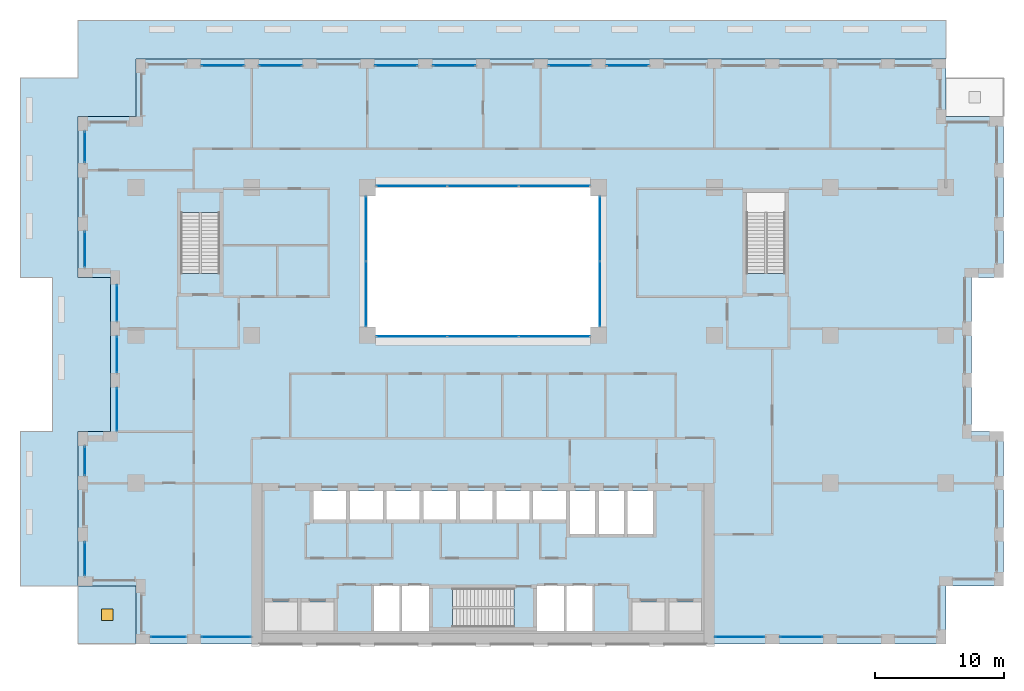
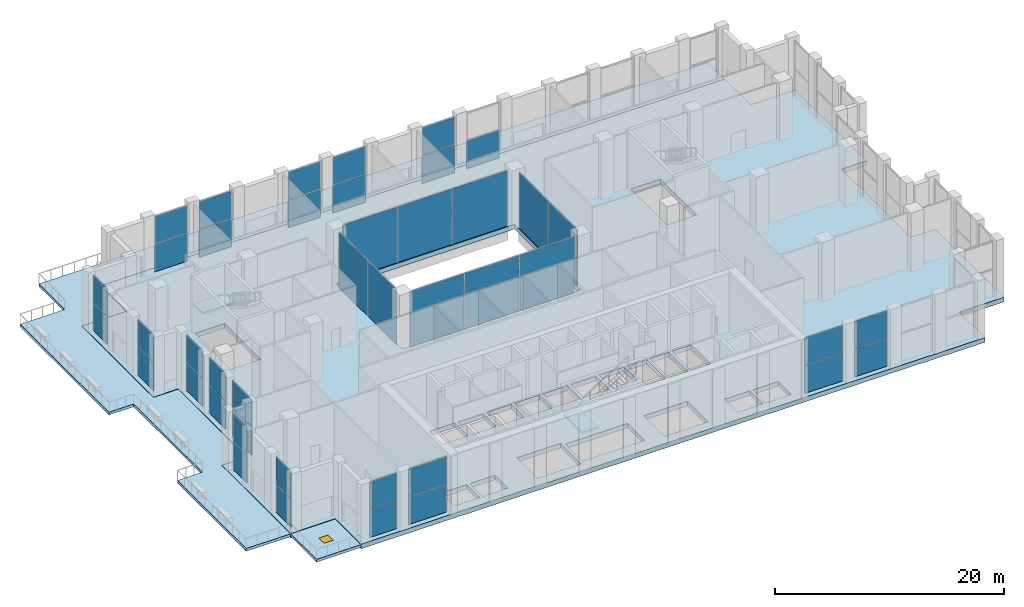
# One storey, part 11 of 21: 43 plates, 5 slabs, 1 window, 1 opening, 23 elements without a shape of their own.
"""IFC4 building model written with IfcOpenShell, lengths in metres."""

from ifc_helpers import new_model, si_unit, direction, frame, origin, origin_2d, place, context, subcontext, project, spatial, polyline, rectangle, outline, extrude, material, layer, layer_set, type_object, element, fill, aggregate, save


model = new_model("IFC4")

# Units and contexts
model_context = context("Model", 3, precision=1e-05, world=origin(), true_north=direction((0.0, 1.0)))
body_context = subcontext(model_context, "Body", "Model", "MODEL_VIEW")
ifc_project = project(units=[si_unit("LENGTHUNIT", "METRE"), si_unit("AREAUNIT", "SQUARE_METRE"), si_unit("VOLUMEUNIT", "CUBIC_METRE"), si_unit("PLANEANGLEUNIT", "RADIAN"), si_unit("MASSUNIT", "GRAM", prefix="KILO")], contexts=[model_context])

# Site, building, storey
site_placement = place(None, origin())
site = spatial("IfcSite", under=ifc_project, at=site_placement, CompositionType="ELEMENT")
building_placement = place(site_placement, origin())
building = spatial("IfcBuilding", under=site, at=building_placement, Name="Brigalow Station Residences", CompositionType="ELEMENT")
storey_placement = place(building_placement, frame((0.0, 0.0, 77.25)))
storey = spatial("IfcBuildingStorey", under=building, at=storey_placement, Name="L22", CompositionType="ELEMENT", Elevation=77.25)

# Curtain wall, plates
ifc_material_1 = material(Name="Aluminium", Category="aluminium")
ifc_layer_1 = layer(ifc_material_1, 0.14990234375)
ifc_layer_set_1 = layer_set([ifc_layer_1], Name="ATRIUM FIRE-RATED GLAZING CURTAIN WALL")
curtain_wall_type_1 = type_object("IfcCurtainWallType", Name="ATRIUM FIRE-RATED GLAZING CURTAIN WALL", PredefinedType="NOTDEFINED", material=ifc_layer_set_1)
curtain_wall_1_placement = place(storey_placement, origin())
curtain_wall_1 = element("IfcCurtainWall", 1, at=curtain_wall_1_placement, inside=storey, type_object=curtain_wall_type_1, Name="L22/cw/atrium-S", PredefinedType="NOTDEFINED")
ifc_material_2 = material(Name="Fire-resisting laminated glazing, FRL -/60/-", Category="glass")
ifc_layer_2 = layer(ifc_material_2, 0.031982421875)
ifc_layer_set_2 = layer_set([ifc_layer_2], Name="ATRIUM FIRE-RATED GLAZING PANEL 32")
plate_type_1 = type_object("IfcPlateType", Name="ATRIUM FIRE-RATED GLAZING PANEL 32", PredefinedType="CURTAIN_PANEL", material=ifc_layer_set_2)
plate_1_placement = place(storey_placement, frame((30.4482421875, 23.89990234375, 0.0), z_axis=(0.0, 0.0, 1.0), x_axis=(1.0, 0.0, 0.0)))
plate_1 = element("IfcPlate", 2, at=plate_1_placement, type_object=plate_type_1, Name="L22/cw/atrium-S/P00-00", PredefinedType="CURTAIN_PANEL", context=body_context, shape_type="SweptSolid", body=[
    extrude(rectangle(XDim=5.476806640625, YDim=0.031982421875, at=origin_2d()), origin(), (0.0, 0.0, 1.0), 5.919921875),
])
plate_2_placement = place(storey_placement, frame((36.0, 23.89990234375, 0.0), z_axis=(0.0, 0.0, 1.0), x_axis=(1.0, 0.0, 0.0)))
plate_2 = element("IfcPlate", 3, at=plate_2_placement, type_object=plate_type_1, Name="L22/cw/atrium-S/P01-00", PredefinedType="CURTAIN_PANEL", context=body_context, shape_type="SweptSolid", body=[
    extrude(rectangle(XDim=5.506591796875, YDim=0.031982421875, at=origin_2d()), origin(), (0.0, 0.0, 1.0), 5.919921875),
])
plate_3_placement = place(storey_placement, frame((41.5517578125, 23.89990234375, 0.0), z_axis=(0.0, 0.0, 1.0), x_axis=(1.0, 0.0, 0.0)))
plate_3 = element("IfcPlate", 4, at=plate_3_placement, type_object=plate_type_1, Name="L22/cw/atrium-S/P02-00", PredefinedType="CURTAIN_PANEL", context=body_context, shape_type="SweptSolid", body=[
    extrude(rectangle(XDim=5.476806640625, YDim=0.031982421875, at=origin_2d()), origin(), (0.0, 0.0, 1.0), 5.919921875),
])
aggregate(curtain_wall_1, [plate_1, plate_2, plate_3])

curtain_wall_2_placement = place(storey_placement, origin())
curtain_wall_2 = element("IfcCurtainWall", 5, at=curtain_wall_2_placement, inside=storey, type_object=curtain_wall_type_1, Name="L22/cw/atrium-E", PredefinedType="NOTDEFINED")
plate_4_placement = place(storey_placement, frame((45.10009765625, 27.215087890625, 0.0), z_axis=(0.0, 0.0, 1.0), x_axis=(0.0, 1.0, 0.0)))
plate_4 = element("IfcPlate", 6, at=plate_4_placement, type_object=plate_type_1, Name="L22/cw/atrium-E/P00-00", PredefinedType="CURTAIN_PANEL", context=body_context, shape_type="SweptSolid", body=[
    extrude(rectangle(XDim=5.010009765625, YDim=0.031982421875, at=origin_2d()), origin(), (0.0, 0.0, 1.0), 5.919921875),
])
plate_5_placement = place(storey_placement, frame((45.10009765625, 32.284912109375, 0.0), z_axis=(0.0, 0.0, 1.0), x_axis=(0.0, 1.0, 0.0)))
plate_5 = element("IfcPlate", 7, at=plate_5_placement, type_object=plate_type_1, Name="L22/cw/atrium-E/P01-00", PredefinedType="CURTAIN_PANEL", context=body_context, shape_type="SweptSolid", body=[
    extrude(rectangle(XDim=5.010009765625, YDim=0.031982421875, at=origin_2d()), origin(), (0.0, 0.0, 1.0), 5.919921875),
])
aggregate(curtain_wall_2, [plate_4, plate_5])

curtain_wall_3_placement = place(storey_placement, origin())
curtain_wall_3 = element("IfcCurtainWall", 8, at=curtain_wall_3_placement, inside=storey, type_object=curtain_wall_type_1, Name="L22/cw/atrium-N", PredefinedType="NOTDEFINED")
plate_6_placement = place(storey_placement, frame((41.5517578125, 35.60009765625, 0.0), z_axis=(0.0, 0.0, 1.0), x_axis=(-1.0, 0.0, 0.0)))
plate_6 = element("IfcPlate", 9, at=plate_6_placement, type_object=plate_type_1, Name="L22/cw/atrium-N/P00-00", PredefinedType="CURTAIN_PANEL", context=body_context, shape_type="SweptSolid", body=[
    extrude(rectangle(XDim=5.476806640625, YDim=0.031982421875, at=origin_2d()), origin(), (0.0, 0.0, 1.0), 5.919921875),
])
plate_7_placement = place(storey_placement, frame((36.0, 35.60009765625, 0.0), z_axis=(0.0, 0.0, 1.0), x_axis=(-1.0, 0.0, 0.0)))
plate_7 = element("IfcPlate", 10, at=plate_7_placement, type_object=plate_type_1, Name="L22/cw/atrium-N/P01-00", PredefinedType="CURTAIN_PANEL", context=body_context, shape_type="SweptSolid", body=[
    extrude(rectangle(XDim=5.506591796875, YDim=0.031982421875, at=origin_2d()), origin(), (0.0, 0.0, 1.0), 5.919921875),
])
plate_8_placement = place(storey_placement, frame((30.4482421875, 35.60009765625, 0.0), z_axis=(0.0, 0.0, 1.0), x_axis=(-1.0, 0.0, 0.0)))
plate_8 = element("IfcPlate", 11, at=plate_8_placement, type_object=plate_type_1, Name="L22/cw/atrium-N/P02-00", PredefinedType="CURTAIN_PANEL", context=body_context, shape_type="SweptSolid", body=[
    extrude(rectangle(XDim=5.476806640625, YDim=0.031982421875, at=origin_2d()), origin(), (0.0, 0.0, 1.0), 5.919921875),
])
aggregate(curtain_wall_3, [plate_6, plate_7, plate_8])

curtain_wall_4_placement = place(storey_placement, origin())
curtain_wall_4 = element("IfcCurtainWall", 12, at=curtain_wall_4_placement, inside=storey, type_object=curtain_wall_type_1, Name="L22/cw/atrium-W", PredefinedType="NOTDEFINED")
plate_9_placement = place(storey_placement, frame((26.89990234375, 32.284912109375, 0.0), z_axis=(0.0, 0.0, 1.0), x_axis=(0.0, -1.0, 0.0)))
plate_9 = element("IfcPlate", 13, at=plate_9_placement, type_object=plate_type_1, Name="L22/cw/atrium-W/P00-00", PredefinedType="CURTAIN_PANEL", context=body_context, shape_type="SweptSolid", body=[
    extrude(rectangle(XDim=5.010009765625, YDim=0.031982421875, at=origin_2d()), origin(), (0.0, 0.0, 1.0), 5.919921875),
])
plate_10_placement = place(storey_placement, frame((26.89990234375, 27.215087890625, 0.0), z_axis=(0.0, 0.0, 1.0), x_axis=(0.0, -1.0, 0.0)))
plate_10 = element("IfcPlate", 14, at=plate_10_placement, type_object=plate_type_1, Name="L22/cw/atrium-W/P01-00", PredefinedType="CURTAIN_PANEL", context=body_context, shape_type="SweptSolid", body=[
    extrude(rectangle(XDim=5.010009765625, YDim=0.031982421875, at=origin_2d()), origin(), (0.0, 0.0, 1.0), 5.919921875),
])
aggregate(curtain_wall_4, [plate_9, plate_10])

# Slab
ifc_material_3 = material(Name="Concrete C50", Category="concrete")
ifc_layer_3 = layer(ifc_material_3, 0.5)
ifc_layer_set_3 = layer_set([ifc_layer_3], Name="POST-TENSIONED SKY FLOOR PLATE 500 C50")
slab_type_1 = type_object("IfcSlabType", Name="POST-TENSIONED SKY FLOOR PLATE 500 C50", PredefinedType="FLOOR", material=ifc_layer_set_3)
slab_1_placement = place(storey_placement, frame((0.0, 0.0, -0.5)))
element("IfcSlab", 15, at=slab_1_placement, inside=storey, type_object=slab_type_1, Name="FLOOR SLAB L22", PredefinedType="FLOOR", context=body_context, shape_type="SweptSolid", body=[
    extrude(outline(polyline([(9.0, 0.0), (72.0, 0.0), (72.0, 4.5), (76.5, 4.5), (76.5, 16.5), (74.0, 16.5), (74.0, 28.5), (76.5, 28.5), (76.5, 41.0), (72.0, 41.0), (72.0, 45.5), (9.0, 45.5), (9.0, 41.0), (4.5, 41.0), (4.5, 28.5), (7.0, 28.5), (7.0, 16.5), (4.5, 16.5), (4.5, 4.5), (9.0, 4.5), (9.0, 0.0)]), holes=[polyline([(15.4951171875, 35.094970703125), (15.4951171875, 28.804931640625), (12.5048828125, 28.804931640625), (12.5048828125, 35.094970703125), (15.4951171875, 35.094970703125)]), polyline([(19.0, 3.25), (21.550048828125, 3.25), (21.550048828125, 1.0), (19.0, 1.0), (19.0, 3.25)]), polyline([(21.85009765625, 3.25), (24.39990234375, 3.25), (24.39990234375, 1.0), (21.85009765625, 1.0), (21.85009765625, 3.25)]), polyline([(22.800048828125, 11.89990234375), (25.35009765625, 11.89990234375), (25.35009765625, 9.64990234375), (22.800048828125, 9.64990234375), (22.800048828125, 11.89990234375)]), polyline([(28.199951171875, 11.89990234375), (28.199951171875, 9.64990234375), (25.64990234375, 9.64990234375), (25.64990234375, 11.89990234375), (28.199951171875, 11.89990234375)]), polyline([(29.60009765625, 1.0), (27.39990234375, 1.0), (27.39990234375, 4.60009765625), (29.60009765625, 4.60009765625), (31.800048828125, 4.60009765625), (31.800048828125, 1.0), (29.60009765625, 1.0)]), polyline([(31.050048828125, 11.89990234375), (31.050048828125, 9.64990234375), (28.5, 9.64990234375), (28.5, 11.89990234375), (31.050048828125, 11.89990234375)]), polyline([(31.35009765625, 11.89990234375), (33.89990234375, 11.89990234375), (33.89990234375, 9.64990234375), (31.35009765625, 9.64990234375), (31.35009765625, 11.89990234375)]), polyline([(36.75, 11.89990234375), (36.75, 9.64990234375), (34.199951171875, 9.64990234375), (34.199951171875, 11.89990234375), (36.75, 11.89990234375)]), polyline([(38.39501953125, 4.294921875), (38.39501953125, 1.304931640625), (32.10498046875, 1.304931640625), (32.10498046875, 4.294921875), (38.39501953125, 4.294921875)]), polyline([(39.60009765625, 11.89990234375), (39.60009765625, 9.64990234375), (37.050048828125, 9.64990234375), (37.050048828125, 11.89990234375), (39.60009765625, 11.89990234375)]), polyline([(39.89990234375, 11.89990234375), (42.449951171875, 11.89990234375), (42.449951171875, 9.64990234375), (39.89990234375, 9.64990234375), (39.89990234375, 11.89990234375)]), polyline([(42.39990234375, 1.0), (40.199951171875, 1.0), (40.199951171875, 4.60009765625), (42.39990234375, 4.60009765625), (44.60009765625, 4.60009765625), (44.60009765625, 1.0), (42.39990234375, 1.0)]), polyline([(44.699951171875, 11.89990234375), (44.699951171875, 8.550048828125), (42.75, 8.550048828125), (42.75, 11.89990234375), (44.699951171875, 11.89990234375)]), polyline([(45.0, 11.89990234375), (46.949951171875, 11.89990234375), (46.949951171875, 8.550048828125), (45.0, 8.550048828125), (45.0, 11.89990234375)]), polyline([(45.0, 35.5), (45.0, 24.0), (27.0, 24.0), (27.0, 35.5), (45.0, 35.5)]), polyline([(47.60009765625, 3.25), (50.14990234375, 3.25), (50.14990234375, 1.0), (47.60009765625, 1.0), (47.60009765625, 3.25)]), polyline([(49.199951171875, 11.89990234375), (49.199951171875, 8.550048828125), (47.25, 8.550048828125), (47.25, 11.89990234375), (49.199951171875, 11.89990234375)]), polyline([(50.449951171875, 3.25), (53.0, 3.25), (53.0, 1.0), (50.449951171875, 1.0), (50.449951171875, 3.25)]), polyline([(59.4951171875, 35.094970703125), (59.4951171875, 28.804931640625), (56.5048828125, 28.804931640625), (56.5048828125, 35.094970703125), (59.4951171875, 35.094970703125)])]), origin(), (0.0, 0.0, 1.0), 0.5),
])

# Curtain wall, plates
ifc_material_4 = material(Name="Aluminium", Category="aluminium")
ifc_layer_4 = layer(ifc_material_4, 0.199951171875)
ifc_layer_set_4 = layer_set([ifc_layer_4], Name="SKY FLOOR GLAZING CURTAIN WALL")
curtain_wall_type_2 = type_object("IfcCurtainWallType", Name="SKY FLOOR GLAZING CURTAIN WALL", PredefinedType="NOTDEFINED", material=ifc_layer_set_4)
curtain_wall_5_placement = place(storey_placement, origin())
curtain_wall_5 = element("IfcCurtainWall", 16, at=curtain_wall_5_placement, inside=storey, type_object=curtain_wall_type_2, Name="L22/cw/W-L22-1", PredefinedType="NOTDEFINED")
ifc_material_5 = material(Name="Laminated low-emissivity double-glazed unit")
ifc_layer_5 = layer(ifc_material_5, 0.050048828125)
ifc_layer_set_5 = layer_set([ifc_layer_5], Name="SKY FLOOR GLAZING PANEL 50")
plate_type_2 = type_object("IfcPlateType", Name="SKY FLOOR GLAZING PANEL 50", PredefinedType="CURTAIN_PANEL", material=ifc_layer_set_5)
plate_11_placement = place(storey_placement, frame((11.52490234375, 0.52490234375, 0.0), z_axis=(0.0, 0.0, 1.0), x_axis=(1.0, 0.0, 0.0)))
plate_11 = element("IfcPlate", 17, at=plate_11_placement, type_object=plate_type_2, Name="L22/cw/W-L22-1/P00-00", PredefinedType="CURTAIN_PANEL", context=body_context, shape_type="SweptSolid", body=[
    extrude(rectangle(XDim=2.7099609375, YDim=0.050048828125, at=origin_2d()), origin(), (0.0, 0.0, 1.0), 2.955078125),
])
plate_12_placement = place(storey_placement, frame((11.52490234375, 0.52490234375, 3.02490234375), z_axis=(0.0, 0.0, 1.0), x_axis=(1.0, 0.0, 0.0)))
plate_12 = element("IfcPlate", 18, at=plate_12_placement, type_object=plate_type_2, Name="L22/cw/W-L22-1/P00-01", PredefinedType="CURTAIN_PANEL", context=body_context, shape_type="SweptSolid", body=[
    extrude(rectangle(XDim=2.7099609375, YDim=0.050048828125, at=origin_2d()), origin(), (0.0, 0.0, 1.0), 2.885009765625),
])
aggregate(curtain_wall_5, [plate_11, plate_12])

curtain_wall_6_placement = place(storey_placement, origin())
curtain_wall_6 = element("IfcCurtainWall", 19, at=curtain_wall_6_placement, inside=storey, type_object=curtain_wall_type_2, Name="L22/cw/W-L22-2", PredefinedType="NOTDEFINED")
plate_13_placement = place(storey_placement, frame((16.02490234375, 0.52490234375, 0.0), z_axis=(0.0, 0.0, 1.0), x_axis=(1.0, 0.0, 0.0)))
plate_13 = element("IfcPlate", 20, at=plate_13_placement, type_object=plate_type_2, Name="L22/cw/W-L22-2/P00-00", PredefinedType="CURTAIN_PANEL", context=body_context, shape_type="SweptSolid", body=[
    extrude(rectangle(XDim=3.81005859375, YDim=0.050048828125, at=origin_2d()), origin(), (0.0, 0.0, 1.0), 2.955078125),
])
plate_14_placement = place(storey_placement, frame((16.02490234375, 0.52490234375, 3.02490234375), z_axis=(0.0, 0.0, 1.0), x_axis=(1.0, 0.0, 0.0)))
plate_14 = element("IfcPlate", 21, at=plate_14_placement, type_object=plate_type_2, Name="L22/cw/W-L22-2/P00-01", PredefinedType="CURTAIN_PANEL", context=body_context, shape_type="SweptSolid", body=[
    extrude(rectangle(XDim=3.81005859375, YDim=0.050048828125, at=origin_2d()), origin(), (0.0, 0.0, 1.0), 2.885009765625),
])
aggregate(curtain_wall_6, [plate_13, plate_14])

curtain_wall_7_placement = place(storey_placement, origin())
curtain_wall_7 = element("IfcCurtainWall", 22, at=curtain_wall_7_placement, inside=storey, type_object=curtain_wall_type_2, Name="L22/cw/W-L22-4", PredefinedType="NOTDEFINED")
plate_15_placement = place(storey_placement, frame((55.97509765625, 0.52490234375, 0.0), z_axis=(0.0, 0.0, 1.0), x_axis=(1.0, 0.0, 0.0)))
plate_15 = element("IfcPlate", 23, at=plate_15_placement, type_object=plate_type_2, Name="L22/cw/W-L22-4/P00-00", PredefinedType="CURTAIN_PANEL", context=body_context, shape_type="SweptSolid", body=[
    extrude(rectangle(XDim=3.81005859375, YDim=0.050048828125, at=origin_2d()), origin(), (0.0, 0.0, 1.0), 2.955078125),
])
plate_16_placement = place(storey_placement, frame((55.97509765625, 0.52490234375, 3.02490234375), z_axis=(0.0, 0.0, 1.0), x_axis=(1.0, 0.0, 0.0)))
plate_16 = element("IfcPlate", 24, at=plate_16_placement, type_object=plate_type_2, Name="L22/cw/W-L22-4/P00-01", PredefinedType="CURTAIN_PANEL", context=body_context, shape_type="SweptSolid", body=[
    extrude(rectangle(XDim=3.81005859375, YDim=0.050048828125, at=origin_2d()), origin(), (0.0, 0.0, 1.0), 2.885009765625),
])
aggregate(curtain_wall_7, [plate_15, plate_16])

curtain_wall_8_placement = place(storey_placement, origin())
curtain_wall_8 = element("IfcCurtainWall", 25, at=curtain_wall_8_placement, inside=storey, type_object=curtain_wall_type_2, Name="L22/cw/W-L22-5", PredefinedType="NOTDEFINED")
plate_17_placement = place(storey_placement, frame((60.75, 0.52490234375, 0.0), z_axis=(0.0, 0.0, 1.0), x_axis=(1.0, 0.0, 0.0)))
plate_17 = element("IfcPlate", 26, at=plate_17_placement, type_object=plate_type_2, Name="L22/cw/W-L22-5/P00-00", PredefinedType="CURTAIN_PANEL", context=body_context, shape_type="SweptSolid", body=[
    extrude(rectangle(XDim=3.260009765625, YDim=0.050048828125, at=origin_2d()), origin(), (0.0, 0.0, 1.0), 2.955078125),
])
plate_18_placement = place(storey_placement, frame((60.75, 0.52490234375, 3.02490234375), z_axis=(0.0, 0.0, 1.0), x_axis=(1.0, 0.0, 0.0)))
plate_18 = element("IfcPlate", 27, at=plate_18_placement, type_object=plate_type_2, Name="L22/cw/W-L22-5/P00-01", PredefinedType="CURTAIN_PANEL", context=body_context, shape_type="SweptSolid", body=[
    extrude(rectangle(XDim=3.260009765625, YDim=0.050048828125, at=origin_2d()), origin(), (0.0, 0.0, 1.0), 2.885009765625),
])
aggregate(curtain_wall_8, [plate_17, plate_18])

# Curtain wall, plate
curtain_wall_9_placement = place(storey_placement, origin())
curtain_wall_9 = element("IfcCurtainWall", 28, at=curtain_wall_9_placement, inside=storey, type_object=curtain_wall_type_2, Name="L22/cw/W-L22-28", PredefinedType="NOTDEFINED")
plate_19_placement = place(storey_placement, frame((47.25, 44.97509765625, 0.0), z_axis=(0.0, 0.0, 1.0), x_axis=(-1.0, 0.0, 0.0)))
plate_19 = element("IfcPlate", 29, at=plate_19_placement, type_object=plate_type_2, Name="L22/cw/W-L22-28/P00-00", PredefinedType="CURTAIN_PANEL", context=body_context, shape_type="SweptSolid", body=[
    extrude(rectangle(XDim=3.260009765625, YDim=0.050048828125, at=origin_2d()), origin(), (0.0, 0.0, 1.0), 2.955078125),
])
aggregate(curtain_wall_9, [plate_19])

# Curtain wall, plates
curtain_wall_10_placement = place(storey_placement, origin())
curtain_wall_10 = element("IfcCurtainWall", 30, at=curtain_wall_10_placement, inside=storey, type_object=curtain_wall_type_2, Name="L22/cw/W-L22-29", PredefinedType="NOTDEFINED")
plate_20_placement = place(storey_placement, frame((42.75, 44.97509765625, 0.0), z_axis=(0.0, 0.0, 1.0), x_axis=(-1.0, 0.0, 0.0)))
plate_20 = element("IfcPlate", 31, at=plate_20_placement, type_object=plate_type_2, Name="L22/cw/W-L22-29/P00-00", PredefinedType="CURTAIN_PANEL", context=body_context, shape_type="SweptSolid", body=[
    extrude(rectangle(XDim=3.260009765625, YDim=0.050048828125, at=origin_2d()), origin(), (0.0, 0.0, 1.0), 2.955078125),
])
plate_21_placement = place(storey_placement, frame((42.75, 44.97509765625, 3.02490234375), z_axis=(0.0, 0.0, 1.0), x_axis=(-1.0, 0.0, 0.0)))
plate_21 = element("IfcPlate", 32, at=plate_21_placement, type_object=plate_type_2, Name="L22/cw/W-L22-29/P00-01", PredefinedType="CURTAIN_PANEL", context=body_context, shape_type="SweptSolid", body=[
    extrude(rectangle(XDim=3.260009765625, YDim=0.050048828125, at=origin_2d()), origin(), (0.0, 0.0, 1.0), 2.885009765625),
])
aggregate(curtain_wall_10, [plate_20, plate_21])

curtain_wall_11_placement = place(storey_placement, origin())
curtain_wall_11 = element("IfcCurtainWall", 33, at=curtain_wall_11_placement, inside=storey, type_object=curtain_wall_type_2, Name="L22/cw/W-L22-31", PredefinedType="NOTDEFINED")
plate_22_placement = place(storey_placement, frame((33.75, 44.97509765625, 0.0), z_axis=(0.0, 0.0, 1.0), x_axis=(-1.0, 0.0, 0.0)))
plate_22 = element("IfcPlate", 34, at=plate_22_placement, type_object=plate_type_2, Name="L22/cw/W-L22-31/P00-00", PredefinedType="CURTAIN_PANEL", context=body_context, shape_type="SweptSolid", body=[
    extrude(rectangle(XDim=3.260009765625, YDim=0.050048828125, at=origin_2d()), origin(), (0.0, 0.0, 1.0), 2.955078125),
])
plate_23_placement = place(storey_placement, frame((33.75, 44.97509765625, 3.02490234375), z_axis=(0.0, 0.0, 1.0), x_axis=(-1.0, 0.0, 0.0)))
plate_23 = element("IfcPlate", 35, at=plate_23_placement, type_object=plate_type_2, Name="L22/cw/W-L22-31/P00-01", PredefinedType="CURTAIN_PANEL", context=body_context, shape_type="SweptSolid", body=[
    extrude(rectangle(XDim=3.260009765625, YDim=0.050048828125, at=origin_2d()), origin(), (0.0, 0.0, 1.0), 2.885009765625),
])
aggregate(curtain_wall_11, [plate_22, plate_23])

curtain_wall_12_placement = place(storey_placement, origin())
curtain_wall_12 = element("IfcCurtainWall", 36, at=curtain_wall_12_placement, inside=storey, type_object=curtain_wall_type_2, Name="L22/cw/W-L22-32", PredefinedType="NOTDEFINED")
plate_24_placement = place(storey_placement, frame((29.25, 44.97509765625, 0.0), z_axis=(0.0, 0.0, 1.0), x_axis=(-1.0, 0.0, 0.0)))
plate_24 = element("IfcPlate", 37, at=plate_24_placement, type_object=plate_type_2, Name="L22/cw/W-L22-32/P00-00", PredefinedType="CURTAIN_PANEL", context=body_context, shape_type="SweptSolid", body=[
    extrude(rectangle(XDim=3.260009765625, YDim=0.050048828125, at=origin_2d()), origin(), (0.0, 0.0, 1.0), 2.955078125),
])
plate_25_placement = place(storey_placement, frame((29.25, 44.97509765625, 3.02490234375), z_axis=(0.0, 0.0, 1.0), x_axis=(-1.0, 0.0, 0.0)))
plate_25 = element("IfcPlate", 38, at=plate_25_placement, type_object=plate_type_2, Name="L22/cw/W-L22-32/P00-01", PredefinedType="CURTAIN_PANEL", context=body_context, shape_type="SweptSolid", body=[
    extrude(rectangle(XDim=3.260009765625, YDim=0.050048828125, at=origin_2d()), origin(), (0.0, 0.0, 1.0), 2.885009765625),
])
aggregate(curtain_wall_12, [plate_24, plate_25])

curtain_wall_13_placement = place(storey_placement, origin())
curtain_wall_13 = element("IfcCurtainWall", 39, at=curtain_wall_13_placement, inside=storey, type_object=curtain_wall_type_2, Name="L22/cw/W-L22-34", PredefinedType="NOTDEFINED")
plate_26_placement = place(storey_placement, frame((20.25, 44.97509765625, 0.0), z_axis=(0.0, 0.0, 1.0), x_axis=(-1.0, 0.0, 0.0)))
plate_26 = element("IfcPlate", 40, at=plate_26_placement, type_object=plate_type_2, Name="L22/cw/W-L22-34/P00-00", PredefinedType="CURTAIN_PANEL", context=body_context, shape_type="SweptSolid", body=[
    extrude(rectangle(XDim=3.260009765625, YDim=0.050048828125, at=origin_2d()), origin(), (0.0, 0.0, 1.0), 2.955078125),
])
plate_27_placement = place(storey_placement, frame((20.25, 44.97509765625, 3.02490234375), z_axis=(0.0, 0.0, 1.0), x_axis=(-1.0, 0.0, 0.0)))
plate_27 = element("IfcPlate", 41, at=plate_27_placement, type_object=plate_type_2, Name="L22/cw/W-L22-34/P00-01", PredefinedType="CURTAIN_PANEL", context=body_context, shape_type="SweptSolid", body=[
    extrude(rectangle(XDim=3.260009765625, YDim=0.050048828125, at=origin_2d()), origin(), (0.0, 0.0, 1.0), 2.885009765625),
])
aggregate(curtain_wall_13, [plate_26, plate_27])

curtain_wall_14_placement = place(storey_placement, origin())
curtain_wall_14 = element("IfcCurtainWall", 42, at=curtain_wall_14_placement, inside=storey, type_object=curtain_wall_type_2, Name="L22/cw/W-L22-35", PredefinedType="NOTDEFINED")
plate_28_placement = place(storey_placement, frame((15.75, 44.97509765625, 0.0), z_axis=(0.0, 0.0, 1.0), x_axis=(-1.0, 0.0, 0.0)))
plate_28 = element("IfcPlate", 43, at=plate_28_placement, type_object=plate_type_2, Name="L22/cw/W-L22-35/P00-00", PredefinedType="CURTAIN_PANEL", context=body_context, shape_type="SweptSolid", body=[
    extrude(rectangle(XDim=3.260009765625, YDim=0.050048828125, at=origin_2d()), origin(), (0.0, 0.0, 1.0), 2.955078125),
])
plate_29_placement = place(storey_placement, frame((15.75, 44.97509765625, 3.02490234375), z_axis=(0.0, 0.0, 1.0), x_axis=(-1.0, 0.0, 0.0)))
plate_29 = element("IfcPlate", 44, at=plate_29_placement, type_object=plate_type_2, Name="L22/cw/W-L22-35/P00-01", PredefinedType="CURTAIN_PANEL", context=body_context, shape_type="SweptSolid", body=[
    extrude(rectangle(XDim=3.260009765625, YDim=0.050048828125, at=origin_2d()), origin(), (0.0, 0.0, 1.0), 2.885009765625),
])
aggregate(curtain_wall_14, [plate_28, plate_29])

curtain_wall_15_placement = place(storey_placement, origin())
curtain_wall_15 = element("IfcCurtainWall", 45, at=curtain_wall_15_placement, inside=storey, type_object=curtain_wall_type_2, Name="L22/cw/W-L22-39", PredefinedType="NOTDEFINED")
plate_30_placement = place(storey_placement, frame((5.02490234375, 38.6416015625, 0.0), z_axis=(0.0, 0.0, 1.0), x_axis=(0.0, -1.0, 0.0)))
plate_30 = element("IfcPlate", 46, at=plate_30_placement, type_object=plate_type_2, Name="L22/cw/W-L22-39/P00-00", PredefinedType="CURTAIN_PANEL", context=body_context, shape_type="SweptSolid", body=[
    extrude(rectangle(XDim=2.376953125, YDim=0.050048828125, at=origin_2d()), origin(), (0.0, 0.0, 1.0), 2.955078125),
])
plate_31_placement = place(storey_placement, frame((5.02490234375, 38.6416015625, 3.02490234375), z_axis=(0.0, 0.0, 1.0), x_axis=(0.0, -1.0, 0.0)))
plate_31 = element("IfcPlate", 47, at=plate_31_placement, type_object=plate_type_2, Name="L22/cw/W-L22-39/P00-01", PredefinedType="CURTAIN_PANEL", context=body_context, shape_type="SweptSolid", body=[
    extrude(rectangle(XDim=2.376953125, YDim=0.050048828125, at=origin_2d()), origin(), (0.0, 0.0, 1.0), 2.885009765625),
])
aggregate(curtain_wall_15, [plate_30, plate_31])

curtain_wall_16_placement = place(storey_placement, origin())
curtain_wall_16 = element("IfcCurtainWall", 48, at=curtain_wall_16_placement, inside=storey, type_object=curtain_wall_type_2, Name="L22/cw/W-L22-41", PredefinedType="NOTDEFINED")
plate_32_placement = place(storey_placement, frame((5.02490234375, 30.68359375, 0.0), z_axis=(0.0, 0.0, 1.0), x_axis=(0.0, -1.0, 0.0)))
plate_32 = element("IfcPlate", 49, at=plate_32_placement, type_object=plate_type_2, Name="L22/cw/W-L22-41/P00-00", PredefinedType="CURTAIN_PANEL", context=body_context, shape_type="SweptSolid", body=[
    extrude(rectangle(XDim=2.72705078125, YDim=0.050048828125, at=origin_2d()), origin(), (0.0, 0.0, 1.0), 2.955078125),
])
plate_33_placement = place(storey_placement, frame((5.02490234375, 30.68359375, 3.02490234375), z_axis=(0.0, 0.0, 1.0), x_axis=(0.0, -1.0, 0.0)))
plate_33 = element("IfcPlate", 50, at=plate_33_placement, type_object=plate_type_2, Name="L22/cw/W-L22-41/P00-01", PredefinedType="CURTAIN_PANEL", context=body_context, shape_type="SweptSolid", body=[
    extrude(rectangle(XDim=2.72705078125, YDim=0.050048828125, at=origin_2d()), origin(), (0.0, 0.0, 1.0), 2.885009765625),
])
aggregate(curtain_wall_16, [plate_32, plate_33])

curtain_wall_17_placement = place(storey_placement, origin())
curtain_wall_17 = element("IfcCurtainWall", 51, at=curtain_wall_17_placement, inside=storey, type_object=curtain_wall_type_2, Name="L22/cw/W-L22-43", PredefinedType="NOTDEFINED")
plate_34_placement = place(storey_placement, frame((7.52490234375, 26.5, 0.0), z_axis=(0.0, 0.0, 1.0), x_axis=(0.0, -1.0, 0.0)))
plate_34 = element("IfcPlate", 52, at=plate_34_placement, type_object=plate_type_2, Name="L22/cw/W-L22-43/P00-00", PredefinedType="CURTAIN_PANEL", context=body_context, shape_type="SweptSolid", body=[
    extrude(rectangle(XDim=2.760009765625, YDim=0.050048828125, at=origin_2d()), origin(), (0.0, 0.0, 1.0), 2.955078125),
])
plate_35_placement = place(storey_placement, frame((7.52490234375, 26.5, 3.02490234375), z_axis=(0.0, 0.0, 1.0), x_axis=(0.0, -1.0, 0.0)))
plate_35 = element("IfcPlate", 53, at=plate_35_placement, type_object=plate_type_2, Name="L22/cw/W-L22-43/P00-01", PredefinedType="CURTAIN_PANEL", context=body_context, shape_type="SweptSolid", body=[
    extrude(rectangle(XDim=2.760009765625, YDim=0.050048828125, at=origin_2d()), origin(), (0.0, 0.0, 1.0), 2.885009765625),
])
aggregate(curtain_wall_17, [plate_34, plate_35])

curtain_wall_18_placement = place(storey_placement, origin())
curtain_wall_18 = element("IfcCurtainWall", 54, at=curtain_wall_18_placement, inside=storey, type_object=curtain_wall_type_2, Name="L22/cw/W-L22-44", PredefinedType="NOTDEFINED")
plate_36_placement = place(storey_placement, frame((7.52490234375, 22.5, 0.0), z_axis=(0.0, 0.0, 1.0), x_axis=(0.0, -1.0, 0.0)))
plate_36 = element("IfcPlate", 55, at=plate_36_placement, type_object=plate_type_2, Name="L22/cw/W-L22-44/P00-00", PredefinedType="CURTAIN_PANEL", context=body_context, shape_type="SweptSolid", body=[
    extrude(rectangle(XDim=2.760009765625, YDim=0.050048828125, at=origin_2d()), origin(), (0.0, 0.0, 1.0), 2.955078125),
])
plate_37_placement = place(storey_placement, frame((7.52490234375, 22.5, 3.02490234375), z_axis=(0.0, 0.0, 1.0), x_axis=(0.0, -1.0, 0.0)))
plate_37 = element("IfcPlate", 56, at=plate_37_placement, type_object=plate_type_2, Name="L22/cw/W-L22-44/P00-01", PredefinedType="CURTAIN_PANEL", context=body_context, shape_type="SweptSolid", body=[
    extrude(rectangle(XDim=2.760009765625, YDim=0.050048828125, at=origin_2d()), origin(), (0.0, 0.0, 1.0), 2.885009765625),
])
aggregate(curtain_wall_18, [plate_36, plate_37])

curtain_wall_19_placement = place(storey_placement, origin())
curtain_wall_19 = element("IfcCurtainWall", 57, at=curtain_wall_19_placement, inside=storey, type_object=curtain_wall_type_2, Name="L22/cw/W-L22-45", PredefinedType="NOTDEFINED")
plate_38_placement = place(storey_placement, frame((7.52490234375, 18.22509765625, 0.0), z_axis=(0.0, 0.0, 1.0), x_axis=(0.0, -1.0, 0.0)))
plate_38 = element("IfcPlate", 58, at=plate_38_placement, type_object=plate_type_2, Name="L22/cw/W-L22-45/P00-00", PredefinedType="CURTAIN_PANEL", context=body_context, shape_type="SweptSolid", body=[
    extrude(rectangle(XDim=3.31005859375, YDim=0.050048828125, at=origin_2d()), origin(), (0.0, 0.0, 1.0), 2.955078125),
])
plate_39_placement = place(storey_placement, frame((7.52490234375, 18.22509765625, 3.02490234375), z_axis=(0.0, 0.0, 1.0), x_axis=(0.0, -1.0, 0.0)))
plate_39 = element("IfcPlate", 59, at=plate_39_placement, type_object=plate_type_2, Name="L22/cw/W-L22-45/P00-01", PredefinedType="CURTAIN_PANEL", context=body_context, shape_type="SweptSolid", body=[
    extrude(rectangle(XDim=3.31005859375, YDim=0.050048828125, at=origin_2d()), origin(), (0.0, 0.0, 1.0), 2.885009765625),
])
aggregate(curtain_wall_19, [plate_38, plate_39])

curtain_wall_20_placement = place(storey_placement, origin())
curtain_wall_20 = element("IfcCurtainWall", 60, at=curtain_wall_20_placement, inside=storey, type_object=curtain_wall_type_2, Name="L22/cw/W-L22-47", PredefinedType="NOTDEFINED")
plate_40_placement = place(storey_placement, frame((5.02490234375, 14.22509765625, 0.0), z_axis=(0.0, 0.0, 1.0), x_axis=(0.0, -1.0, 0.0)))
plate_40 = element("IfcPlate", 61, at=plate_40_placement, type_object=plate_type_2, Name="L22/cw/W-L22-47/P00-00", PredefinedType="CURTAIN_PANEL", context=body_context, shape_type="SweptSolid", body=[
    extrude(rectangle(XDim=2.2099609375, YDim=0.050048828125, at=origin_2d()), origin(), (0.0, 0.0, 1.0), 2.955078125),
])
plate_41_placement = place(storey_placement, frame((5.02490234375, 14.22509765625, 3.02490234375), z_axis=(0.0, 0.0, 1.0), x_axis=(0.0, -1.0, 0.0)))
plate_41 = element("IfcPlate", 62, at=plate_41_placement, type_object=plate_type_2, Name="L22/cw/W-L22-47/P00-01", PredefinedType="CURTAIN_PANEL", context=body_context, shape_type="SweptSolid", body=[
    extrude(rectangle(XDim=2.2099609375, YDim=0.050048828125, at=origin_2d()), origin(), (0.0, 0.0, 1.0), 2.885009765625),
])
aggregate(curtain_wall_20, [plate_40, plate_41])

curtain_wall_21_placement = place(storey_placement, origin())
curtain_wall_21 = element("IfcCurtainWall", 63, at=curtain_wall_21_placement, inside=storey, type_object=curtain_wall_type_2, Name="L22/cw/W-L22-49", PredefinedType="NOTDEFINED")
plate_42_placement = place(storey_placement, frame((5.02490234375, 6.60009765625, 0.0), z_axis=(0.0, 0.0, 1.0), x_axis=(0.0, -1.0, 0.0)))
plate_42 = element("IfcPlate", 64, at=plate_42_placement, type_object=plate_type_2, Name="L22/cw/W-L22-49/P00-00", PredefinedType="CURTAIN_PANEL", context=body_context, shape_type="SweptSolid", body=[
    extrude(rectangle(XDim=2.56005859375, YDim=0.050048828125, at=origin_2d()), origin(), (0.0, 0.0, 1.0), 2.955078125),
])
plate_43_placement = place(storey_placement, frame((5.02490234375, 6.60009765625, 3.02490234375), z_axis=(0.0, 0.0, 1.0), x_axis=(0.0, -1.0, 0.0)))
plate_43 = element("IfcPlate", 65, at=plate_43_placement, type_object=plate_type_2, Name="L22/cw/W-L22-49/P00-01", PredefinedType="CURTAIN_PANEL", context=body_context, shape_type="SweptSolid", body=[
    extrude(rectangle(XDim=2.56005859375, YDim=0.050048828125, at=origin_2d()), origin(), (0.0, 0.0, 1.0), 2.885009765625),
])
aggregate(curtain_wall_21, [plate_42, plate_43])

# Stair, slab
ifc_material_6 = material(Name="Concrete C50", Category="concrete")
stair_type = type_object("IfcStairType", Name="EXIT STAIR 1400 2 FLIGHT", PredefinedType="HALF_TURN_STAIR", material=ifc_material_6)
stair_1_placement = place(storey_placement, origin())
stair_1 = element("IfcStair", 66, at=stair_1_placement, inside=storey, type_object=stair_type, Name="EXIT STAIR S2 L22", PredefinedType="HALF_TURN_STAIR")
ifc_material_7 = material(Name="Concrete C50", Category="concrete")
ifc_layer_6 = layer(ifc_material_7, 0.199951171875)
ifc_layer_set_6 = layer_set([ifc_layer_6], Name="STAIR LANDING 200")
slab_type_2 = type_object("IfcSlabType", Name="STAIR LANDING 200", PredefinedType="LANDING", material=ifc_layer_set_6)
slab_2_placement = place(storey_placement, frame((0.0, 0.0, 2.949951171875)))
slab_2 = element("IfcSlab", 67, at=slab_2_placement, type_object=slab_type_2, Name="ST-2 landing 1", PredefinedType="LANDING", context=body_context, shape_type="SweptSolid", body=[
    extrude(outline(polyline([(32.0, 1.199951171875), (33.639892578125, 1.199951171875), (33.639892578125, 4.39990234375), (32.0, 4.39990234375), (32.0, 1.199951171875)])), origin(), (0.0, 0.0, 1.0), 0.199951171875),
])
aggregate(stair_1, [slab_2])

stair_2_placement = place(storey_placement, origin())
stair_2 = element("IfcStair", 68, at=stair_2_placement, inside=storey, type_object=stair_type, Name="EXIT STAIR S1 L22", PredefinedType="HALF_TURN_STAIR")
slab_3_placement = place(storey_placement, frame((0.0, 0.0, 2.949951171875)))
slab_3 = element("IfcSlab", 69, at=slab_3_placement, type_object=slab_type_2, Name="ST-1 landing 1", PredefinedType="LANDING", context=body_context, shape_type="SweptSolid", body=[
    extrude(outline(polyline([(12.39990234375, 33.56005859375), (15.60009765625, 33.56005859375), (15.60009765625, 35.199951171875), (12.39990234375, 35.199951171875), (12.39990234375, 33.56005859375)])), origin(), (0.0, 0.0, 1.0), 0.199951171875),
])
aggregate(stair_2, [slab_3])

# Slab
ifc_material_8 = material(Name="Concrete C50 precast", Category="concrete")
ifc_layer_7 = layer(ifc_material_8, 0.300048828125)
ifc_layer_set_7 = layer_set([ifc_layer_7], Name="TERRACE SLAB 300")
slab_type_3 = type_object("IfcSlabType", Name="TERRACE SLAB 300", PredefinedType="FLOOR", material=ifc_layer_set_7)
slab_4_placement = place(storey_placement, frame((0.0, 0.0, -0.340087890625)))
element("IfcSlab", 70, at=slab_4_placement, inside=storey, type_object=slab_type_3, Name="L22/terrace/1", PredefinedType="FLOOR", context=body_context, shape_type="SweptSolid", body=[
    extrude(outline(polyline([(4.5, 4.5), (4.5, 16.5), (7.0, 16.5), (7.0, 28.5), (4.5, 28.5), (4.5, 41.0), (9.0, 41.0), (9.0, 45.5), (72.0, 45.5), (72.0, 48.5), (4.5, 48.5), (4.5, 44.0), (0.0, 44.0), (0.0, 28.5), (2.5, 28.5), (2.5, 16.5), (0.0, 16.5), (0.0, 4.5), (4.5, 4.5)])), origin(), (0.0, 0.0, 1.0), 0.300048828125),
])

# Slab, opening, window
slab_5_placement = place(storey_placement, frame((0.0, 0.0, -0.340087890625)))
slab_5 = element("IfcSlab", 71, at=slab_5_placement, inside=storey, type_object=slab_type_3, Name="L22/terrace/2", PredefinedType="FLOOR", context=body_context, shape_type="SweptSolid", body=[
    extrude(outline(polyline([(9.0, 0.0), (9.0, 4.5), (4.5, 4.5), (4.5, 0.0), (9.0, 0.0)])), origin(), (0.0, 0.0, 1.0), 0.300048828125),
])
opening_placement = place(slab_5_placement, frame((6.75, 2.25, 0.0)))
opening = element("IfcOpeningElement", 72, at=opening_placement, cuts=slab_5, Name="Opening RF-2", PredefinedType="OPENING", context=body_context, shape_type="SweptSolid", body=[
    extrude(rectangle(XDim=0.89990234375, YDim=0.89990234375, at=origin_2d()), origin(), (0.0, 0.0, 1.0), 0.300048828125),
])
ifc_material_9 = material(Name="Laminated walkable glass in an aluminium frame", Category="aluminium")
window_type = type_object("IfcWindowType", Name="TERRACE ROOFLIGHT 900", PartitioningType="SINGLE_PANEL", PredefinedType="SKYLIGHT", material=ifc_material_9)
window_placement = place(opening_placement, frame((0.0, 0.0, 0.25)))
window = element("IfcWindow", 73, at=window_placement, inside=storey, type_object=window_type, Name="L22/terrace-rooflight/2", OverallHeight=0.89990234375, OverallWidth=0.89990234375, PartitioningType="SINGLE_PANEL", PredefinedType="SKYLIGHT", context=body_context, shape_type="SweptSolid", body=[
    extrude(rectangle(XDim=0.89990234375, YDim=0.89990234375, at=origin_2d()), origin(), (0.0, 0.0, 1.0), 0.050048828125),
])
fill(opening, window)

save(model, "model.ifc")
